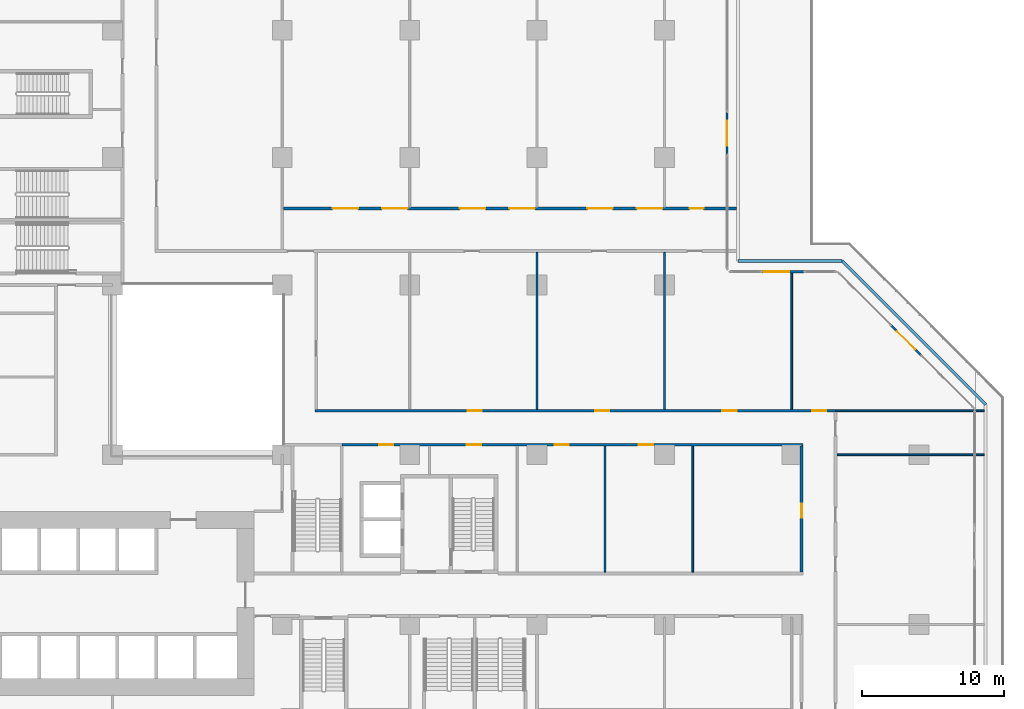
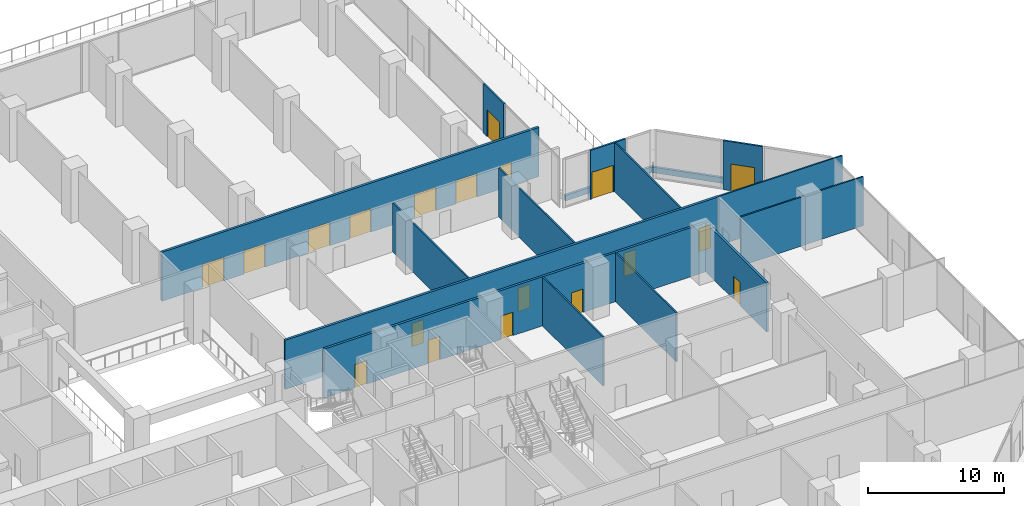
# One storey, part 20 of 31: 19 doors, 16 walls, 19 openings.
"""IFC4 building model written with IfcOpenShell, lengths in metres."""

from ifc_helpers import new_model, si_unit, direction, frame, frame_2d, origin, place, context, subcontext, project, spatial, rectangle, extrude, material, layer, layer_set, type_object, element, fill, save


model = new_model("IFC4")

# Units and contexts
model_context = context("Model", 3, precision=1e-05, world=origin(), true_north=direction((0.0, 1.0)))
body_context = subcontext(model_context, "Body", "Model", "MODEL_VIEW")
ifc_project = project(units=[si_unit("LENGTHUNIT", "METRE"), si_unit("AREAUNIT", "SQUARE_METRE"), si_unit("VOLUMEUNIT", "CUBIC_METRE"), si_unit("PLANEANGLEUNIT", "RADIAN"), si_unit("MASSUNIT", "GRAM", prefix="KILO")], contexts=[model_context])

# Site, building, storey
site_placement = place(None, origin())
site = spatial("IfcSite", under=ifc_project, at=site_placement, CompositionType="ELEMENT")
building_placement = place(site_placement, origin())
building = spatial("IfcBuilding", under=site, at=building_placement, Name="Chenar Terraces", CompositionType="ELEMENT")
storey_placement = place(building_placement, frame((0.0, 0.0, 7.199951171875)))
storey = spatial("IfcBuildingStorey", under=building, at=storey_placement, Name="L01", CompositionType="ELEMENT", Elevation=7.199951171875)

# Walls
ifc_material_1 = material(Name="Gypsum board on steel studs with mineral wool", Category="steel")
ifc_layer_1 = layer(ifc_material_1, 0.125)
ifc_layer_set_1 = layer_set([ifc_layer_1], Name="Gypsum board on steel studs with mineral wool")
wall_type_1 = type_object("IfcWallType", Name="Acoustic partition 125", PredefinedType="PARTITIONING", material=ifc_layer_set_1)
wall_1_placement = place(storey_placement, frame((54.0, 27.199951171875, 0.0), z_axis=(0.0, 0.0, 1.0), x_axis=(0.0, 1.0, 0.0)))
element("IfcWall", 1, at=wall_1_placement, inside=storey, type_object=wall_type_1, Name="Partition L01-108", PredefinedType="PARTITIONING", context=body_context, shape_type="SweptSolid", body=[
    extrude(rectangle(XDim=11.10009765625, YDim=0.125, at=frame_2d((5.550048828125, 0.0))), origin(), (0.0, 0.0, 1.0), 4.400146484375),
])
wall_2_placement = place(storey_placement, frame((58.800048828125, 15.699951171875, 0.0), z_axis=(0.0, 0.0, 1.0), x_axis=(0.0, 1.0, 0.0)))
element("IfcWall", 2, at=wall_2_placement, inside=storey, type_object=wall_type_1, Name="Partition L01-111", PredefinedType="PARTITIONING", context=body_context, shape_type="SweptSolid", body=[
    extrude(rectangle(XDim=8.900146484375, YDim=0.125, at=frame_2d((4.4501953125, 0.0))), origin(), (0.0, 0.0, 1.0), 4.400146484375),
])
wall_3_placement = place(storey_placement, frame((63.0, 27.199951171875, 0.0), z_axis=(0.0, 0.0, 1.0), x_axis=(0.0, 1.0, 0.0)))
element("IfcWall", 3, at=wall_3_placement, inside=storey, type_object=wall_type_1, Name="Partition L01-115", PredefinedType="PARTITIONING", context=body_context, shape_type="SweptSolid", body=[
    extrude(rectangle(XDim=11.10009765625, YDim=0.125, at=frame_2d((5.550048828125, 0.0))), origin(), (0.0, 0.0, 1.0), 4.400146484375),
])
wall_4_placement = place(storey_placement, frame((65.0, 15.699951171875, 0.0), z_axis=(0.0, 0.0, 1.0), x_axis=(0.0, 1.0, 0.0)))
element("IfcWall", 4, at=wall_4_placement, inside=storey, type_object=wall_type_1, Name="Partition L01-117", PredefinedType="PARTITIONING", context=body_context, shape_type="SweptSolid", body=[
    extrude(rectangle(XDim=8.900146484375, YDim=0.125, at=frame_2d((4.4501953125, 0.0))), origin(), (0.0, 0.0, 1.0), 4.400146484375),
])
wall_5_placement = place(storey_placement, frame((72.0, 27.199951171875, 0.0), z_axis=(0.0, 0.0, 1.0), x_axis=(0.0, 1.0, 0.0)))
element("IfcWall", 5, at=wall_5_placement, inside=storey, type_object=wall_type_1, Name="Partition L01-120", PredefinedType="PARTITIONING", context=body_context, shape_type="SweptSolid", body=[
    extrude(rectangle(XDim=9.651123046875, YDim=0.125, at=frame_2d((4.82568359375, 0.0))), origin(), (0.0, 0.0, 1.0), 4.400146484375),
])
wall_6_placement = place(storey_placement, frame((75.10009765625, 27.10009765625, 0.0), z_axis=(0.0, 0.0, 1.0), x_axis=(1.0, 0.0, 0.0)))
element("IfcWall", 6, at=wall_6_placement, inside=storey, type_object=wall_type_1, Name="Partition L01-125", PredefinedType="PARTITIONING", context=body_context, shape_type="SweptSolid", body=[
    extrude(rectangle(XDim=10.5, YDim=0.125, at=frame_2d((5.25, 0.0))), origin(), (0.0, 0.0, 1.0), 4.400146484375),
])
wall_7_placement = place(storey_placement, frame((75.199951171875, 24.0, 0.0), z_axis=(0.0, 0.0, 1.0), x_axis=(1.0, 0.0, 0.0)))
element("IfcWall", 7, at=wall_7_placement, inside=storey, type_object=wall_type_1, Name="Partition L01-128", PredefinedType="PARTITIONING", context=body_context, shape_type="SweptSolid", body=[
    extrude(rectangle(XDim=10.400146484375, YDim=0.125, at=frame_2d((5.2001953125, 0.0))), origin(), (0.0, 0.0, 1.0), 4.400146484375),
])

# Wall, openings, doors
ifc_material_2 = material(Name="Gypsum board on steel studs with fire boards", Category="steel")
ifc_layer_2 = layer(ifc_material_2, 0.199951171875)
ifc_layer_set_2 = layer_set([ifc_layer_2], Name="Gypsum board on steel studs with fire boards")
wall_type_2 = type_object("IfcWallType", Name="Corridor wall 200", PredefinedType="PARTITIONING", material=ifc_layer_set_2)
wall_8_placement = place(storey_placement, frame((36.10009765625, 41.39990234375, 0.0), z_axis=(0.0, 0.0, 1.0), x_axis=(1.0, 0.0, 0.0)))
wall_8 = element("IfcWall", 8, at=wall_8_placement, inside=storey, type_object=wall_type_2, Name="Partition L01-086", PredefinedType="PARTITIONING", context=body_context, shape_type="SweptSolid", body=[
    extrude(rectangle(XDim=32.0, YDim=0.199951171875, at=frame_2d((16.0, 0.0))), origin(), (0.0, 0.0, 1.0), 4.400146484375),
])
opening_1_placement = place(wall_8_placement, frame((3.449951171875, 0.0, 0.0)))
opening_1 = element("IfcOpeningElement", 9, at=opening_1_placement, cuts=wall_8, Name="Opening DL01-18", PredefinedType="OPENING", context=body_context, shape_type="SweptSolid", body=[
    extrude(rectangle(XDim=1.800048828125, YDim=2.10009765625, at=frame_2d((0.89990234375, 1.050048828125))), frame((0.0, 0.10986328125, 0.0), z_axis=(0.0, -1.0, 0.0), x_axis=(1.0, 0.0, 0.0)), (0.0, 0.0, 1.0), 0.219970703125),
])
opening_2_placement = place(wall_8_placement, frame((6.949951171875, 0.0, 0.0)))
opening_2 = element("IfcOpeningElement", 10, at=opening_2_placement, cuts=wall_8, Name="Opening DL01-19", PredefinedType="OPENING", context=body_context, shape_type="SweptSolid", body=[
    extrude(rectangle(XDim=1.800048828125, YDim=2.10009765625, at=frame_2d((0.89990234375, 1.050048828125))), frame((0.0, 0.10986328125, 0.0), z_axis=(0.0, -1.0, 0.0), x_axis=(1.0, 0.0, 0.0)), (0.0, 0.0, 1.0), 0.219970703125),
])
opening_3_placement = place(wall_8_placement, frame((12.449951171875, 0.0, 0.0)))
opening_3 = element("IfcOpeningElement", 11, at=opening_3_placement, cuts=wall_8, Name="Opening DL01-20", PredefinedType="OPENING", context=body_context, shape_type="SweptSolid", body=[
    extrude(rectangle(XDim=1.800048828125, YDim=2.10009765625, at=frame_2d((0.89990234375, 1.050048828125))), frame((0.0, 0.10986328125, 0.0), z_axis=(0.0, -1.0, 0.0), x_axis=(1.0, 0.0, 0.0)), (0.0, 0.0, 1.0), 0.219970703125),
])
opening_4_placement = place(wall_8_placement, frame((15.949951171875, 0.0, 0.0)))
opening_4 = element("IfcOpeningElement", 12, at=opening_4_placement, cuts=wall_8, Name="Opening DL01-21", PredefinedType="OPENING", context=body_context, shape_type="SweptSolid", body=[
    extrude(rectangle(XDim=1.800048828125, YDim=2.10009765625, at=frame_2d((0.89990234375, 1.050048828125))), frame((0.0, 0.10986328125, 0.0), z_axis=(0.0, -1.0, 0.0), x_axis=(1.0, 0.0, 0.0)), (0.0, 0.0, 1.0), 0.219970703125),
])
opening_5_placement = place(wall_8_placement, frame((21.449951171875, 0.0, 0.0)))
opening_5 = element("IfcOpeningElement", 13, at=opening_5_placement, cuts=wall_8, Name="Opening DL01-22", PredefinedType="OPENING", context=body_context, shape_type="SweptSolid", body=[
    extrude(rectangle(XDim=1.800048828125, YDim=2.10009765625, at=frame_2d((0.89990234375, 1.050048828125))), frame((0.0, 0.10986328125, 0.0), z_axis=(0.0, -1.0, 0.0), x_axis=(1.0, 0.0, 0.0)), (0.0, 0.0, 1.0), 0.219970703125),
])
opening_6_placement = place(wall_8_placement, frame((24.949951171875, 0.0, 0.0)))
opening_6 = element("IfcOpeningElement", 14, at=opening_6_placement, cuts=wall_8, Name="Opening DL01-23", PredefinedType="OPENING", context=body_context, shape_type="SweptSolid", body=[
    extrude(rectangle(XDim=1.800048828125, YDim=2.10009765625, at=frame_2d((0.89990234375, 1.050048828125))), frame((0.0, 0.10986328125, 0.0), z_axis=(0.0, -1.0, 0.0), x_axis=(1.0, 0.0, 0.0)), (0.0, 0.0, 1.0), 0.219970703125),
])
opening_7_placement = place(wall_8_placement, frame((28.675048828125, 0.0, 0.0)))
opening_7 = element("IfcOpeningElement", 15, at=opening_7_placement, cuts=wall_8, Name="Opening DL01-24", PredefinedType="OPENING", context=body_context, shape_type="SweptSolid", body=[
    extrude(rectangle(XDim=1.0, YDim=2.10009765625, at=frame_2d((0.5, 1.050048828125))), frame((0.0, 0.10986328125, 0.0), z_axis=(0.0, -1.0, 0.0), x_axis=(1.0, 0.0, 0.0)), (0.0, 0.0, 1.0), 0.219970703125),
])
ifc_material_3 = material(Name="Steel-framed fire-resisting door leaf", Category="steel")
door_type_1 = type_object("IfcDoorType", Name="Fire door FD60 1000 x 2100", OperationType="SINGLE_SWING_LEFT", PredefinedType="DOOR", material=ifc_material_3)
door_1_placement = place(opening_7_placement, origin())
door_1 = element("IfcDoor", 16, at=door_1_placement, inside=storey, type_object=door_type_1, Name="Door DL01-24", OperationType="SINGLE_SWING_LEFT", OverallHeight=2.10009765625, OverallWidth=1.0, PredefinedType="DOOR", context=body_context, shape_type="SweptSolid", body=[
    extrude(rectangle(XDim=1.0, YDim=2.10009765625, at=frame_2d((0.5, 1.050048828125))), frame((0.0, 0.02490234375, 0.0), z_axis=(0.0, -1.0, 0.0), x_axis=(1.0, 0.0, 0.0)), (0.0, 0.0, 1.0), 0.050048828125),
])
fill(opening_7, door_1)
ifc_material_4 = material(Name="Steel-framed fire-resisting door leaf", Category="steel")
door_type_2 = type_object("IfcDoorType", Name="Fire double door FD60 1800 x 2100", OperationType="DOUBLE_DOOR_SINGLE_SWING", PredefinedType="DOOR", material=ifc_material_4)
door_2_placement = place(opening_1_placement, origin())
door_2 = element("IfcDoor", 17, at=door_2_placement, inside=storey, type_object=door_type_2, Name="Door DL01-18", OperationType="DOUBLE_DOOR_SINGLE_SWING", OverallHeight=2.10009765625, OverallWidth=1.800048828125, PredefinedType="DOOR", context=body_context, shape_type="SweptSolid", body=[
    extrude(rectangle(XDim=1.800048828125, YDim=2.10009765625, at=frame_2d((0.89990234375, 1.050048828125))), frame((0.0, 0.02490234375, 0.0), z_axis=(0.0, -1.0, 0.0), x_axis=(1.0, 0.0, 0.0)), (0.0, 0.0, 1.0), 0.050048828125),
])
fill(opening_1, door_2)
door_3_placement = place(opening_2_placement, origin())
door_3 = element("IfcDoor", 18, at=door_3_placement, inside=storey, type_object=door_type_2, Name="Door DL01-19", OperationType="DOUBLE_DOOR_SINGLE_SWING", OverallHeight=2.10009765625, OverallWidth=1.800048828125, PredefinedType="DOOR", context=body_context, shape_type="SweptSolid", body=[
    extrude(rectangle(XDim=1.800048828125, YDim=2.10009765625, at=frame_2d((0.89990234375, 1.050048828125))), frame((0.0, 0.02490234375, 0.0), z_axis=(0.0, -1.0, 0.0), x_axis=(1.0, 0.0, 0.0)), (0.0, 0.0, 1.0), 0.050048828125),
])
fill(opening_2, door_3)
door_4_placement = place(opening_3_placement, origin())
door_4 = element("IfcDoor", 19, at=door_4_placement, inside=storey, type_object=door_type_2, Name="Door DL01-20", OperationType="DOUBLE_DOOR_SINGLE_SWING", OverallHeight=2.10009765625, OverallWidth=1.800048828125, PredefinedType="DOOR", context=body_context, shape_type="SweptSolid", body=[
    extrude(rectangle(XDim=1.800048828125, YDim=2.10009765625, at=frame_2d((0.89990234375, 1.050048828125))), frame((0.0, 0.02490234375, 0.0), z_axis=(0.0, -1.0, 0.0), x_axis=(1.0, 0.0, 0.0)), (0.0, 0.0, 1.0), 0.050048828125),
])
fill(opening_3, door_4)
door_5_placement = place(opening_4_placement, origin())
door_5 = element("IfcDoor", 20, at=door_5_placement, inside=storey, type_object=door_type_2, Name="Door DL01-21", OperationType="DOUBLE_DOOR_SINGLE_SWING", OverallHeight=2.10009765625, OverallWidth=1.800048828125, PredefinedType="DOOR", context=body_context, shape_type="SweptSolid", body=[
    extrude(rectangle(XDim=1.800048828125, YDim=2.10009765625, at=frame_2d((0.89990234375, 1.050048828125))), frame((0.0, 0.02490234375, 0.0), z_axis=(0.0, -1.0, 0.0), x_axis=(1.0, 0.0, 0.0)), (0.0, 0.0, 1.0), 0.050048828125),
])
fill(opening_4, door_5)
door_6_placement = place(opening_5_placement, origin())
door_6 = element("IfcDoor", 21, at=door_6_placement, inside=storey, type_object=door_type_2, Name="Door DL01-22", OperationType="DOUBLE_DOOR_SINGLE_SWING", OverallHeight=2.10009765625, OverallWidth=1.800048828125, PredefinedType="DOOR", context=body_context, shape_type="SweptSolid", body=[
    extrude(rectangle(XDim=1.800048828125, YDim=2.10009765625, at=frame_2d((0.89990234375, 1.050048828125))), frame((0.0, 0.02490234375, 0.0), z_axis=(0.0, -1.0, 0.0), x_axis=(1.0, 0.0, 0.0)), (0.0, 0.0, 1.0), 0.050048828125),
])
fill(opening_5, door_6)
door_7_placement = place(opening_6_placement, origin())
door_7 = element("IfcDoor", 22, at=door_7_placement, inside=storey, type_object=door_type_2, Name="Door DL01-23", OperationType="DOUBLE_DOOR_SINGLE_SWING", OverallHeight=2.10009765625, OverallWidth=1.800048828125, PredefinedType="DOOR", context=body_context, shape_type="SweptSolid", body=[
    extrude(rectangle(XDim=1.800048828125, YDim=2.10009765625, at=frame_2d((0.89990234375, 1.050048828125))), frame((0.0, 0.02490234375, 0.0), z_axis=(0.0, -1.0, 0.0), x_axis=(1.0, 0.0, 0.0)), (0.0, 0.0, 1.0), 0.050048828125),
])
fill(opening_6, door_7)

wall_9_placement = place(storey_placement, frame((38.300048828125, 27.10009765625, 0.0), z_axis=(0.0, 0.0, 1.0), x_axis=(1.0, 0.0, 0.0)))
wall_9 = element("IfcWall", 23, at=wall_9_placement, inside=storey, type_object=wall_type_2, Name="Partition L01-087", PredefinedType="PARTITIONING", context=body_context, shape_type="SweptSolid", body=[
    extrude(rectangle(XDim=36.800048828125, YDim=0.199951171875, at=frame_2d((18.39990234375, 0.0))), origin(), (0.0, 0.0, 1.0), 4.400146484375),
])
opening_8_placement = place(wall_9_placement, frame((10.800048828125, 0.0, 0.0)))
opening_8 = element("IfcOpeningElement", 24, at=opening_8_placement, cuts=wall_9, Name="Opening DL01-30", PredefinedType="OPENING", context=body_context, shape_type="SweptSolid", body=[
    extrude(rectangle(XDim=1.0, YDim=2.10009765625, at=frame_2d((0.5, 1.050048828125))), frame((0.0, 0.10986328125, 0.0), z_axis=(0.0, -1.0, 0.0), x_axis=(1.0, 0.0, 0.0)), (0.0, 0.0, 1.0), 0.219970703125),
])
opening_9_placement = place(wall_9_placement, frame((19.800048828125, 0.0, 0.0)))
opening_9 = element("IfcOpeningElement", 25, at=opening_9_placement, cuts=wall_9, Name="Opening DL01-32", PredefinedType="OPENING", context=body_context, shape_type="SweptSolid", body=[
    extrude(rectangle(XDim=1.0, YDim=2.10009765625, at=frame_2d((0.5, 1.050048828125))), frame((0.0, 0.10986328125, 0.0), z_axis=(0.0, -1.0, 0.0), x_axis=(1.0, 0.0, 0.0)), (0.0, 0.0, 1.0), 0.219970703125),
])
opening_10_placement = place(wall_9_placement, frame((28.800048828125, 0.0, 0.0)))
opening_10 = element("IfcOpeningElement", 26, at=opening_10_placement, cuts=wall_9, Name="Opening DL01-34", PredefinedType="OPENING", context=body_context, shape_type="SweptSolid", body=[
    extrude(rectangle(XDim=1.0, YDim=2.10009765625, at=frame_2d((0.5, 1.050048828125))), frame((0.0, 0.10986328125, 0.0), z_axis=(0.0, -1.0, 0.0), x_axis=(1.0, 0.0, 0.0)), (0.0, 0.0, 1.0), 0.219970703125),
])
opening_11_placement = place(wall_9_placement, frame((35.14990234375, 0.0, 0.0)))
opening_11 = element("IfcOpeningElement", 27, at=opening_11_placement, cuts=wall_9, Name="Opening DL01-36", PredefinedType="OPENING", context=body_context, shape_type="SweptSolid", body=[
    extrude(rectangle(XDim=1.0, YDim=2.10009765625, at=frame_2d((0.5, 1.050048828125))), frame((0.0, 0.10986328125, 0.0), z_axis=(0.0, -1.0, 0.0), x_axis=(1.0, 0.0, 0.0)), (0.0, 0.0, 1.0), 0.219970703125),
])
door_8_placement = place(opening_8_placement, origin())
door_8 = element("IfcDoor", 28, at=door_8_placement, inside=storey, type_object=door_type_1, Name="Door DL01-30", OperationType="SINGLE_SWING_RIGHT", OverallHeight=2.10009765625, OverallWidth=1.0, PredefinedType="DOOR", context=body_context, shape_type="SweptSolid", body=[
    extrude(rectangle(XDim=1.0, YDim=2.10009765625, at=frame_2d((0.5, 1.050048828125))), frame((0.0, 0.02490234375, 0.0), z_axis=(0.0, -1.0, 0.0), x_axis=(1.0, 0.0, 0.0)), (0.0, 0.0, 1.0), 0.050048828125),
])
fill(opening_8, door_8)
door_9_placement = place(opening_9_placement, origin())
door_9 = element("IfcDoor", 29, at=door_9_placement, inside=storey, type_object=door_type_1, Name="Door DL01-32", OperationType="SINGLE_SWING_RIGHT", OverallHeight=2.10009765625, OverallWidth=1.0, PredefinedType="DOOR", context=body_context, shape_type="SweptSolid", body=[
    extrude(rectangle(XDim=1.0, YDim=2.10009765625, at=frame_2d((0.5, 1.050048828125))), frame((0.0, 0.02490234375, 0.0), z_axis=(0.0, -1.0, 0.0), x_axis=(1.0, 0.0, 0.0)), (0.0, 0.0, 1.0), 0.050048828125),
])
fill(opening_9, door_9)
door_10_placement = place(opening_10_placement, origin())
door_10 = element("IfcDoor", 30, at=door_10_placement, inside=storey, type_object=door_type_1, Name="Door DL01-34", OperationType="SINGLE_SWING_RIGHT", OverallHeight=2.10009765625, OverallWidth=1.0, PredefinedType="DOOR", context=body_context, shape_type="SweptSolid", body=[
    extrude(rectangle(XDim=1.0, YDim=2.10009765625, at=frame_2d((0.5, 1.050048828125))), frame((0.0, 0.02490234375, 0.0), z_axis=(0.0, -1.0, 0.0), x_axis=(1.0, 0.0, 0.0)), (0.0, 0.0, 1.0), 0.050048828125),
])
fill(opening_10, door_10)
door_11_placement = place(opening_11_placement, origin())
door_11 = element("IfcDoor", 31, at=door_11_placement, inside=storey, type_object=door_type_1, Name="Door DL01-36", OperationType="SINGLE_SWING_LEFT", OverallHeight=2.10009765625, OverallWidth=1.0, PredefinedType="DOOR", context=body_context, shape_type="SweptSolid", body=[
    extrude(rectangle(XDim=1.0, YDim=2.10009765625, at=frame_2d((0.5, 1.050048828125))), frame((0.0, 0.02490234375, 0.0), z_axis=(0.0, -1.0, 0.0), x_axis=(1.0, 0.0, 0.0)), (0.0, 0.0, 1.0), 0.050048828125),
])
fill(opening_11, door_11)

wall_10_placement = place(storey_placement, frame((40.199951171875, 24.699951171875, 0.0), z_axis=(0.0, 0.0, 1.0), x_axis=(1.0, 0.0, 0.0)))
wall_10 = element("IfcWall", 32, at=wall_10_placement, inside=storey, type_object=wall_type_2, Name="Partition L01-091", PredefinedType="PARTITIONING", context=body_context, shape_type="SweptSolid", body=[
    extrude(rectangle(XDim=32.60009765625, YDim=0.199951171875, at=frame_2d((16.300048828125, 0.0))), origin(), (0.0, 0.0, 1.0), 4.400146484375),
])
opening_12_placement = place(wall_10_placement, frame((2.64990234375, 0.0, 0.0)))
opening_12 = element("IfcOpeningElement", 33, at=opening_12_placement, cuts=wall_10, Name="Opening DL01-4", PredefinedType="OPENING", context=body_context, shape_type="SweptSolid", body=[
    extrude(rectangle(XDim=1.0, YDim=2.10009765625, at=frame_2d((0.5, 1.050048828125))), frame((0.0, 0.10986328125, 0.0), z_axis=(0.0, -1.0, 0.0), x_axis=(1.0, 0.0, 0.0)), (0.0, 0.0, 1.0), 0.219970703125),
])
opening_13_placement = place(wall_10_placement, frame((8.85009765625, 0.0, 0.0)))
opening_13 = element("IfcOpeningElement", 34, at=opening_13_placement, cuts=wall_10, Name="Opening DL01-5", PredefinedType="OPENING", context=body_context, shape_type="SweptSolid", body=[
    extrude(rectangle(XDim=1.0, YDim=2.10009765625, at=frame_2d((0.5, 1.050048828125))), frame((0.0, 0.10986328125, 0.0), z_axis=(0.0, -1.0, 0.0), x_axis=(1.0, 0.0, 0.0)), (0.0, 0.0, 1.0), 0.219970703125),
])
opening_14_placement = place(wall_10_placement, frame((15.050048828125, 0.0, 0.0)))
opening_14 = element("IfcOpeningElement", 35, at=opening_14_placement, cuts=wall_10, Name="Opening DL01-6", PredefinedType="OPENING", context=body_context, shape_type="SweptSolid", body=[
    extrude(rectangle(XDim=1.0, YDim=2.10009765625, at=frame_2d((0.5, 1.050048828125))), frame((0.0, 0.10986328125, 0.0), z_axis=(0.0, -1.0, 0.0), x_axis=(1.0, 0.0, 0.0)), (0.0, 0.0, 1.0), 0.219970703125),
])
opening_15_placement = place(wall_10_placement, frame((21.0, 0.0, 0.0)))
opening_15 = element("IfcOpeningElement", 36, at=opening_15_placement, cuts=wall_10, Name="Opening DL01-7", PredefinedType="OPENING", context=body_context, shape_type="SweptSolid", body=[
    extrude(rectangle(XDim=1.0, YDim=2.10009765625, at=frame_2d((0.5, 1.050048828125))), frame((0.0, 0.10986328125, 0.0), z_axis=(0.0, -1.0, 0.0), x_axis=(1.0, 0.0, 0.0)), (0.0, 0.0, 1.0), 0.219970703125),
])
door_12_placement = place(opening_12_placement, frame((1.0, 0.0, 0.0), z_axis=(0.0, 0.0, 1.0), x_axis=(-1.0, 0.0, 0.0)))
door_12 = element("IfcDoor", 37, at=door_12_placement, inside=storey, type_object=door_type_1, Name="Door DL01-4", OperationType="SINGLE_SWING_LEFT", OverallHeight=2.10009765625, OverallWidth=1.0, PredefinedType="DOOR", context=body_context, shape_type="SweptSolid", body=[
    extrude(rectangle(XDim=1.0, YDim=2.10009765625, at=frame_2d((0.5, 1.050048828125))), frame((0.0, 0.02490234375, 0.0), z_axis=(0.0, -1.0, 0.0), x_axis=(1.0, 0.0, 0.0)), (0.0, 0.0, 1.0), 0.050048828125),
])
fill(opening_12, door_12)
door_13_placement = place(opening_13_placement, frame((1.0, 0.0, 0.0), z_axis=(0.0, 0.0, 1.0), x_axis=(-1.0, 0.0, 0.0)))
door_13 = element("IfcDoor", 38, at=door_13_placement, inside=storey, type_object=door_type_1, Name="Door DL01-5", OperationType="SINGLE_SWING_LEFT", OverallHeight=2.10009765625, OverallWidth=1.0, PredefinedType="DOOR", context=body_context, shape_type="SweptSolid", body=[
    extrude(rectangle(XDim=1.0, YDim=2.10009765625, at=frame_2d((0.5, 1.050048828125))), frame((0.0, 0.02490234375, 0.0), z_axis=(0.0, -1.0, 0.0), x_axis=(1.0, 0.0, 0.0)), (0.0, 0.0, 1.0), 0.050048828125),
])
fill(opening_13, door_13)
door_14_placement = place(opening_14_placement, frame((1.0, 0.0, 0.0), z_axis=(0.0, 0.0, 1.0), x_axis=(-1.0, 0.0, 0.0)))
door_14 = element("IfcDoor", 39, at=door_14_placement, inside=storey, type_object=door_type_1, Name="Door DL01-6", OperationType="SINGLE_SWING_RIGHT", OverallHeight=2.10009765625, OverallWidth=1.0, PredefinedType="DOOR", context=body_context, shape_type="SweptSolid", body=[
    extrude(rectangle(XDim=1.0, YDim=2.10009765625, at=frame_2d((0.5, 1.050048828125))), frame((0.0, 0.02490234375, 0.0), z_axis=(0.0, -1.0, 0.0), x_axis=(1.0, 0.0, 0.0)), (0.0, 0.0, 1.0), 0.050048828125),
])
fill(opening_14, door_14)
door_15_placement = place(opening_15_placement, frame((1.0, 0.0, 0.0), z_axis=(0.0, 0.0, 1.0), x_axis=(-1.0, 0.0, 0.0)))
door_15 = element("IfcDoor", 40, at=door_15_placement, inside=storey, type_object=door_type_1, Name="Door DL01-7", OperationType="SINGLE_SWING_LEFT", OverallHeight=2.10009765625, OverallWidth=1.0, PredefinedType="DOOR", context=body_context, shape_type="SweptSolid", body=[
    extrude(rectangle(XDim=1.0, YDim=2.10009765625, at=frame_2d((0.5, 1.050048828125))), frame((0.0, 0.02490234375, 0.0), z_axis=(0.0, -1.0, 0.0), x_axis=(1.0, 0.0, 0.0)), (0.0, 0.0, 1.0), 0.050048828125),
])
fill(opening_15, door_15)

# Wall, opening, door
wall_11_placement = place(storey_placement, frame((72.699951171875, 15.699951171875, 0.0), z_axis=(0.0, 0.0, 1.0), x_axis=(0.0, 1.0, 0.0)))
wall_11 = element("IfcWall", 41, at=wall_11_placement, inside=storey, type_object=wall_type_2, Name="Partition L01-122", PredefinedType="PARTITIONING", context=body_context, shape_type="SweptSolid", body=[
    extrude(rectangle(XDim=8.900146484375, YDim=0.199951171875, at=frame_2d((4.4501953125, 0.0))), origin(), (0.0, 0.0, 1.0), 4.400146484375),
])
opening_16_placement = place(wall_11_placement, frame((3.85009765625, 0.0, 0.0)))
opening_16 = element("IfcOpeningElement", 42, at=opening_16_placement, cuts=wall_11, Name="Opening DL01-8", PredefinedType="OPENING", context=body_context, shape_type="SweptSolid", body=[
    extrude(rectangle(XDim=1.0, YDim=2.10009765625, at=frame_2d((0.5, 1.050048828125))), frame((0.0, 0.10986328125, 0.0), z_axis=(0.0, -1.0, 0.0), x_axis=(1.0, 0.0, 0.0)), (0.0, 0.0, 1.0), 0.219970703125),
])
door_16_placement = place(opening_16_placement, origin())
door_16 = element("IfcDoor", 43, at=door_16_placement, inside=storey, type_object=door_type_1, Name="Door DL01-8", OperationType="SINGLE_SWING_RIGHT", OverallHeight=2.10009765625, OverallWidth=1.0, PredefinedType="DOOR", context=body_context, shape_type="SweptSolid", body=[
    extrude(rectangle(XDim=1.0, YDim=2.10009765625, at=frame_2d((0.5, 1.050048828125))), frame((0.0, 0.02490234375, 0.0), z_axis=(0.0, -1.0, 0.0), x_axis=(1.0, 0.0, 0.0)), (0.0, 0.0, 1.0), 0.050048828125),
])
fill(opening_16, door_16)

ifc_material_5 = material(Name="Aluminium framed glazing", Category="aluminium")
ifc_layer_3 = layer(ifc_material_5, 0.14990234375)
ifc_layer_set_3 = layer_set([ifc_layer_3], Name="Aluminium framed glazing")
wall_type_3 = type_object("IfcWallType", Name="Podium glazed wall 150", PredefinedType="SOLIDWALL", material=ifc_layer_set_3)
wall_12_placement = place(storey_placement, frame((81.139404296875, 31.01806640625, 0.0), z_axis=(0.0, 0.0, 1.0), x_axis=(-0.707106781187, 0.707106781187, 0.0)))
wall_12 = element("IfcWall", 44, at=wall_12_placement, inside=storey, type_object=wall_type_3, Name="Podium glazed wall", PredefinedType="SOLIDWALL", context=body_context, shape_type="SweptSolid", body=[
    extrude(rectangle(XDim=3.0, YDim=0.14990234375, at=frame_2d((1.5, 0.0))), origin(), (0.0, 0.0, 1.0), 4.400146484375),
])
opening_17_placement = place(wall_12_placement, frame((0.60009765625, 0.0, 0.0)))
opening_17 = element("IfcOpeningElement", 45, at=opening_17_placement, cuts=wall_12, Name="Opening DL01-T1", PredefinedType="OPENING", context=body_context, shape_type="SweptSolid", body=[
    extrude(rectangle(XDim=1.800048828125, YDim=2.39990234375, at=frame_2d((0.89990234375, 1.199951171875))), frame((0.0, 0.0849609375, 0.0), z_axis=(0.0, -1.0, 0.0), x_axis=(1.0, 0.0, 0.0)), (0.0, 0.0, 1.0), 0.169921875),
])
ifc_material_6 = material(Name="Low emissivity double glazing, aluminium frame", Category="aluminium")
door_type_3 = type_object("IfcDoorType", Name="Terrace glazed double door 1800 x 2400", OperationType="DOUBLE_DOOR_SINGLE_SWING", PredefinedType="DOOR", material=ifc_material_6)
door_17_placement = place(opening_17_placement, origin())
door_17 = element("IfcDoor", 46, at=door_17_placement, inside=storey, type_object=door_type_3, Name="Terrace glazed door", OperationType="DOUBLE_DOOR_SINGLE_SWING", OverallHeight=2.39990234375, OverallWidth=1.800048828125, PredefinedType="DOOR", context=body_context, shape_type="SweptSolid", body=[
    extrude(rectangle(XDim=1.800048828125, YDim=2.39990234375, at=frame_2d((0.89990234375, 1.199951171875))), frame((0.0, 0.02490234375, 0.0), z_axis=(0.0, -1.0, 0.0), x_axis=(1.0, 0.0, 0.0)), (0.0, 0.0, 1.0), 0.050048828125),
])
fill(opening_17, door_17)

wall_13_placement = place(storey_placement, frame((72.8818359375, 36.925048828125, 0.0), z_axis=(0.0, 0.0, 1.0), x_axis=(-1.0, 0.0, 0.0)))
wall_13 = element("IfcWall", 47, at=wall_13_placement, inside=storey, type_object=wall_type_3, Name="Podium glazed wall", PredefinedType="SOLIDWALL", context=body_context, shape_type="SweptSolid", body=[
    extrude(rectangle(XDim=3.0, YDim=0.14990234375, at=frame_2d((1.5, 0.0))), origin(), (0.0, 0.0, 1.0), 4.400146484375),
])
opening_18_placement = place(wall_13_placement, frame((1.050048828125, 0.0, 0.0)))
opening_18 = element("IfcOpeningElement", 48, at=opening_18_placement, cuts=wall_13, Name="Opening DL01-T1", PredefinedType="OPENING", context=body_context, shape_type="SweptSolid", body=[
    extrude(rectangle(XDim=1.800048828125, YDim=2.39990234375, at=frame_2d((0.89990234375, 1.199951171875))), frame((0.0, 0.0849609375, 0.0), z_axis=(0.0, -1.0, 0.0), x_axis=(1.0, 0.0, 0.0)), (0.0, 0.0, 1.0), 0.169921875),
])
door_18_placement = place(opening_18_placement, frame((1.800048828125, 0.0, 0.0), z_axis=(0.0, 0.0, 1.0), x_axis=(-1.0, 0.0, 0.0)))
door_18 = element("IfcDoor", 49, at=door_18_placement, inside=storey, type_object=door_type_3, Name="Terrace glazed door", OperationType="DOUBLE_DOOR_SINGLE_SWING", OverallHeight=2.39990234375, OverallWidth=1.800048828125, PredefinedType="DOOR", context=body_context, shape_type="SweptSolid", body=[
    extrude(rectangle(XDim=1.800048828125, YDim=2.39990234375, at=frame_2d((0.89990234375, 1.199951171875))), frame((0.0, 0.02490234375, 0.0), z_axis=(0.0, -1.0, 0.0), x_axis=(1.0, 0.0, 0.0)), (0.0, 0.0, 1.0), 0.050048828125),
])
fill(opening_18, door_18)

wall_14_placement = place(storey_placement, frame((67.425048828125, 45.216552734375, 0.0), z_axis=(0.0, 0.0, 1.0), x_axis=(0.0, 1.0, 0.0)))
wall_14 = element("IfcWall", 50, at=wall_14_placement, inside=storey, type_object=wall_type_3, Name="Podium glazed wall", PredefinedType="SOLIDWALL", context=body_context, shape_type="SweptSolid", body=[
    extrude(rectangle(XDim=3.0, YDim=0.14990234375, at=frame_2d((1.5, 0.0))), origin(), (0.0, 0.0, 1.0), 4.400146484375),
])
opening_19_placement = place(wall_14_placement, frame((0.60009765625, 0.0, 0.0)))
opening_19 = element("IfcOpeningElement", 51, at=opening_19_placement, cuts=wall_14, Name="Opening DL01-T1", PredefinedType="OPENING", context=body_context, shape_type="SweptSolid", body=[
    extrude(rectangle(XDim=1.800048828125, YDim=2.39990234375, at=frame_2d((0.89990234375, 1.199951171875))), frame((0.0, 0.0849609375, 0.0), z_axis=(0.0, -1.0, 0.0), x_axis=(1.0, 0.0, 0.0)), (0.0, 0.0, 1.0), 0.169921875),
])
door_19_placement = place(opening_19_placement, origin())
door_19 = element("IfcDoor", 52, at=door_19_placement, inside=storey, type_object=door_type_3, Name="Terrace glazed door", OperationType="DOUBLE_DOOR_SINGLE_SWING", OverallHeight=2.39990234375, OverallWidth=1.800048828125, PredefinedType="DOOR", context=body_context, shape_type="SweptSolid", body=[
    extrude(rectangle(XDim=1.800048828125, YDim=2.39990234375, at=frame_2d((0.89990234375, 1.199951171875))), frame((0.0, 0.02490234375, 0.0), z_axis=(0.0, -1.0, 0.0), x_axis=(1.0, 0.0, 0.0)), (0.0, 0.0, 1.0), 0.050048828125),
])
fill(opening_19, door_19)

# Walls
ifc_material_7 = material(Name="Terracotta cladding on insulated backing", Category="masonry")
ifc_layer_4 = layer(ifc_material_7, 0.199951171875)
ifc_layer_set_4 = layer_set([ifc_layer_4], Name="Terracotta cladding on insulated backing")
wall_type_4 = type_object("IfcWallType", Name="Terrace parapet upstand 200", PredefinedType="PARAPET", material=ifc_layer_set_4)
wall_15_placement = place(storey_placement, frame((68.199951171875, 37.699951171875, 0.0), z_axis=(0.0, 0.0, 1.0), x_axis=(1.0, 0.0, 0.0)))
element("IfcWall", 53, at=wall_15_placement, inside=storey, type_object=wall_type_4, Name="Terrace parapet", PredefinedType="PARAPET", context=body_context, shape_type="SweptSolid", body=[
    extrude(rectangle(XDim=7.353515625, YDim=0.199951171875, at=frame_2d((3.6767578125, 0.0))), origin(), (0.0, 0.0, 1.0), 0.5),
])
wall_16_placement = place(storey_placement, frame((75.553466796875, 37.699951171875, 0.0), z_axis=(0.0, 0.0, 1.0), x_axis=(0.707106781187, -0.707106781187, 0.0)))
element("IfcWall", 54, at=wall_16_placement, inside=storey, type_object=wall_type_4, Name="Terrace parapet", PredefinedType="PARAPET", context=body_context, shape_type="SweptSolid", body=[
    extrude(rectangle(XDim=14.349365234375, YDim=0.199951171875, at=frame_2d((7.1748046875, 0.0))), origin(), (0.0, 0.0, 1.0), 0.5),
])

save(model, "model.ifc")
